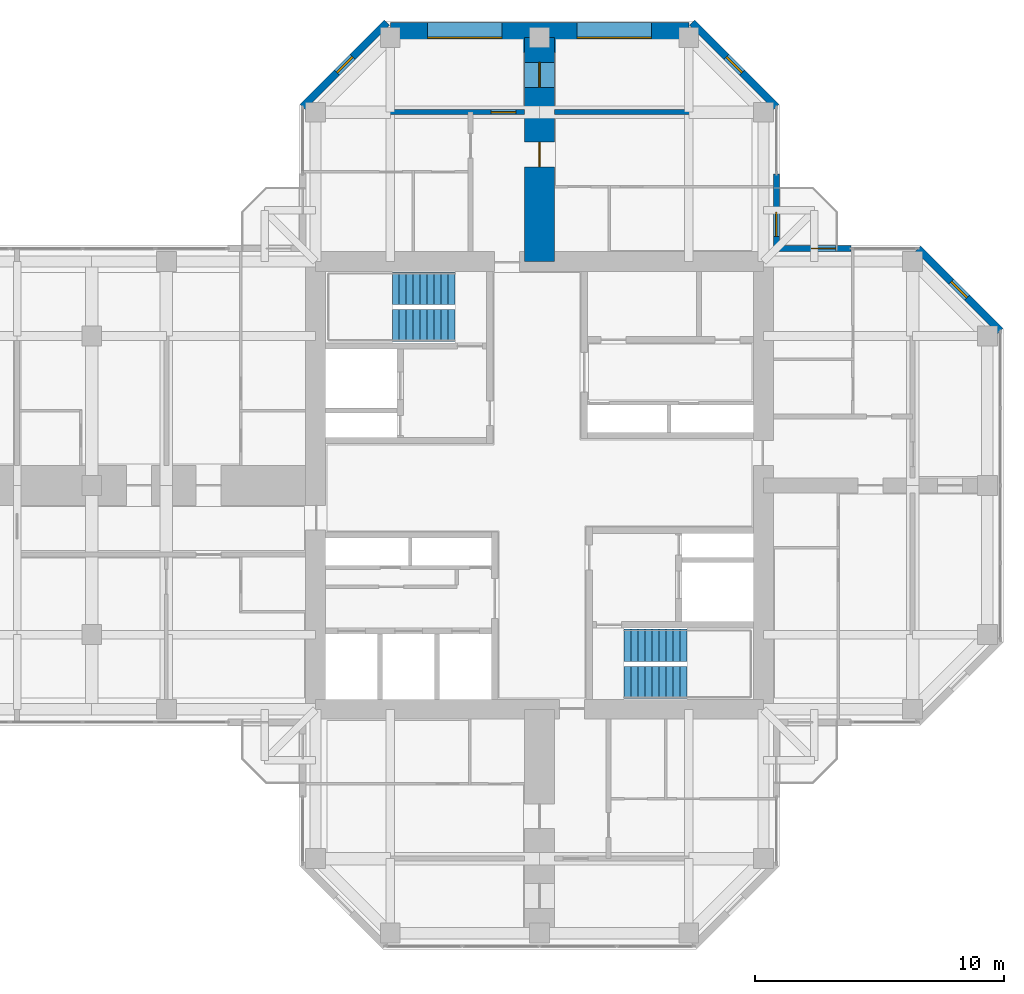
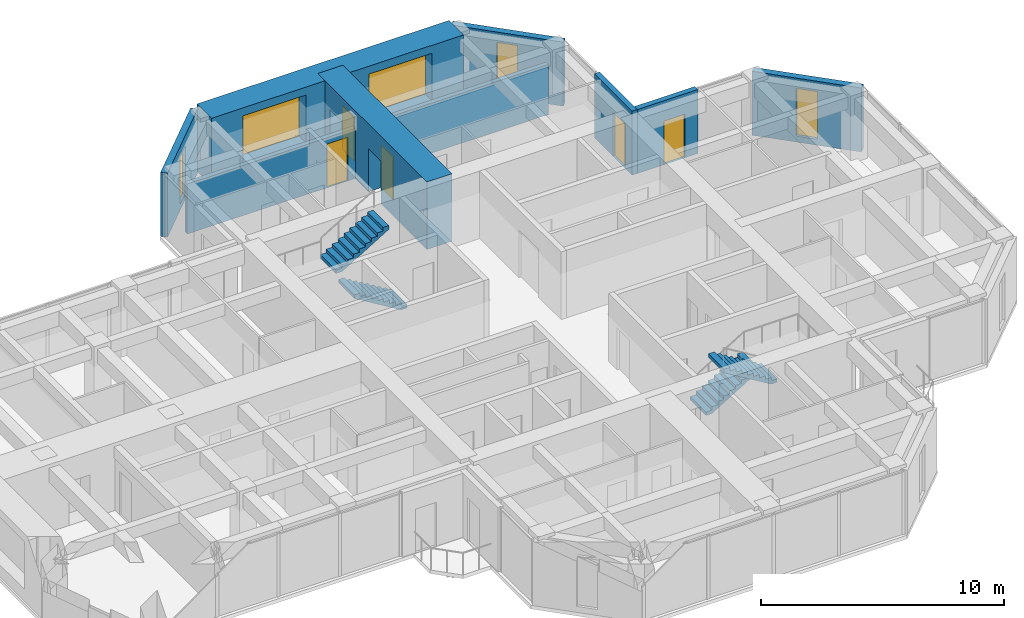
# One storey, part 12 of 13: 9 walls, 5 doors, 5 windows, 4 stair flights, 10 openings, 2 elements without a shape of their own.
"""IFC4 building model written with IfcOpenShell, lengths in metres."""

from ifc_helpers import new_model, si_unit, direction, frame, frame_2d, origin, place, context, subcontext, project, spatial, polyline, rectangle, hollow_rectangle, outline, extrude, material, layer, layer_set, constituent, constituent_set, type_object, element, fill, aggregate, save


model = new_model("IFC4")

# Units and contexts
model_context = context("Model", 3, precision=1e-05, world=origin(), true_north=direction((0.0, 1.0)))
body_context = subcontext(model_context, "Body", "Model", "MODEL_VIEW")
ifc_project = project(units=[si_unit("LENGTHUNIT", "METRE"), si_unit("AREAUNIT", "SQUARE_METRE"), si_unit("VOLUMEUNIT", "CUBIC_METRE"), si_unit("PLANEANGLEUNIT", "RADIAN"), si_unit("MASSUNIT", "GRAM", prefix="KILO")], contexts=[model_context])

# Site, building, storey
site_placement = place(None, origin())
site = spatial("IfcSite", under=ifc_project, at=site_placement, CompositionType="ELEMENT")
building_placement = place(site_placement, origin())
building = spatial("IfcBuilding", under=site, at=building_placement, Name="Torre Cruceta", CompositionType="ELEMENT")
storey_placement = place(building_placement, frame((0.0, 0.0, 239.10009765625)))
storey = spatial("IfcBuildingStorey", under=building, at=storey_placement, Name="L61", CompositionType="ELEMENT", Elevation=239.10009765625)

# Wall, opening, window
ifc_material_1 = material(Name="Concrete G30 (fck 30 MPa)", Category="concrete")
ifc_layer_1 = layer(ifc_material_1, 0.300048828125)
ifc_layer_set_1 = layer_set([ifc_layer_1], Name="Concrete G30 (fck 30 MPa)")
wall_type_1 = type_object("IfcWallType", Name="EXPOSED CONCRETE FACADE WALL 300", PredefinedType="SOLIDWALL", material=ifc_layer_set_1)
wall_1_placement = place(storey_placement, frame((18.52001953125, 6.21533203125, 0.0), z_axis=(0.0, 0.0, 1.0), x_axis=(-0.707106781187, 0.707106781187, 0.0)))
wall_1 = element("IfcWall", 1, at=wall_1_placement, inside=storey, type_object=wall_type_1, Name="EW1 facade wall L61 E chamfer 03", PredefinedType="SOLIDWALL", context=body_context, shape_type="SweptSolid", body=[
    extrude(rectangle(XDim=4.673583984375, YDim=0.300048828125, at=frame_2d((2.3369140625, 0.0))), origin(), (0.0, 0.0, 1.0), 3.219970703125),
])
opening_1_placement = place(wall_1_placement, frame((1.88671875, 0.0, 0.300048828125)))
opening_1 = element("IfcOpeningElement", 2, at=opening_1_placement, cuts=wall_1, Name="Opening WN5", PredefinedType="OPENING", context=body_context, shape_type="SweptSolid", body=[
    extrude(rectangle(XDim=0.89990234375, YDim=2.39990234375, at=frame_2d((0.449951171875, 1.199951171875))), frame((0.0, 0.159912109375, 0.0), z_axis=(0.0, -1.0, 0.0), x_axis=(1.0, 0.0, 0.0)), (0.0, 0.0, 1.0), 0.320068359375),
])
ifc_material_2 = material(Name="Aluminium window frame", Category="aluminium")
ifc_constituent_1 = constituent(ifc_material_2, Name="Frame")
ifc_material_3 = material(Name="Laminated insulating glass unit, low-iron clear", Category="glass")
ifc_constituent_2 = constituent(ifc_material_3, Name="Glazing")
ifc_constituent_set_1 = constituent_set(constituents=[ifc_constituent_1, ifc_constituent_2], Name="Aluminium window")
window_type_1 = type_object("IfcWindowType", Name="CHAMFER SLOT WINDOW 900X2400", PartitioningType="SINGLE_PANEL", PredefinedType="WINDOW", material=ifc_constituent_set_1)
window_1_placement = place(opening_1_placement, origin())
window_1 = element("IfcWindow", 3, at=window_1_placement, inside=storey, type_object=window_type_1, Name="WN5 L61 E 1", OverallHeight=2.39990234375, OverallWidth=0.89990234375, PartitioningType="SINGLE_PANEL", PredefinedType="WINDOW", context=body_context, shape_type="SweptSolid", body=[
    extrude(hollow_rectangle(XDim=0.89990234375, YDim=2.39990234375, WallThickness=0.06005859375, at=frame_2d((0.449951171875, 1.199951171875))), frame((0.0, 0.030029296875, 0.0), z_axis=(0.0, -1.0, 0.0), x_axis=(1.0, 0.0, 0.0)), (0.0, 0.0, 1.0), 0.06005859375),
    extrude(rectangle(XDim=0.77880859375, YDim=2.27880859375, at=frame_2d((0.449951171875, 1.199951171875))), frame((0.0, 0.030029296875, 0.0), z_axis=(0.0, -1.0, 0.0), x_axis=(1.0, 0.0, 0.0)), (0.0, 0.0, 1.0), 0.06005859375),
])
fill(opening_1, window_1)

wall_2_placement = place(storey_placement, frame((9.52001953125, 15.21533203125, 0.0), z_axis=(0.0, 0.0, 1.0), x_axis=(-0.707081278264, 0.707132283189, 0.0)))
wall_2 = element("IfcWall", 4, at=wall_2_placement, inside=storey, type_object=wall_type_1, Name="EW1 facade wall L61 N chamfer 06", PredefinedType="SOLIDWALL", context=body_context, shape_type="SweptSolid", body=[
    extrude(rectangle(XDim=4.78662109375, YDim=0.300048828125, at=frame_2d((2.393310546875, 0.0))), origin(), (0.0, 0.0, 1.0), 3.219970703125),
])
opening_2_placement = place(wall_2_placement, frame((1.943359375, 0.0, 0.300048828125)))
opening_2 = element("IfcOpeningElement", 5, at=opening_2_placement, cuts=wall_2, Name="Opening WN5", PredefinedType="OPENING", context=body_context, shape_type="SweptSolid", body=[
    extrude(rectangle(XDim=0.89990234375, YDim=2.39990234375, at=frame_2d((0.449951171875, 1.199951171875))), frame((0.0, 0.159912109375, 0.0), z_axis=(0.0, -1.0, 0.0), x_axis=(1.0, 0.0, 0.0)), (0.0, 0.0, 1.0), 0.320068359375),
])
window_2_placement = place(opening_2_placement, origin())
window_2 = element("IfcWindow", 6, at=window_2_placement, inside=storey, type_object=window_type_1, Name="WN5 L61 N 1", OverallHeight=2.39990234375, OverallWidth=0.89990234375, PartitioningType="SINGLE_PANEL", PredefinedType="WINDOW", context=body_context, shape_type="SweptSolid", body=[
    extrude(hollow_rectangle(XDim=0.89990234375, YDim=2.39990234375, WallThickness=0.06005859375, at=frame_2d((0.449951171875, 1.199951171875))), frame((0.0, 0.030029296875, 0.0), z_axis=(0.0, -1.0, 0.0), x_axis=(1.0, 0.0, 0.0)), (0.0, 0.0, 1.0), 0.06005859375),
    extrude(rectangle(XDim=0.77880859375, YDim=2.27880859375, at=frame_2d((0.449951171875, 1.199951171875))), frame((0.0, 0.030029296875, 0.0), z_axis=(0.0, -1.0, 0.0), x_axis=(1.0, 0.0, 0.0)), (0.0, 0.0, 1.0), 0.06005859375),
])
fill(opening_2, window_2)

wall_3_placement = place(storey_placement, frame((-6.135498046875, 18.60009765625, 0.0), z_axis=(0.0, 0.0, 1.0), x_axis=(-0.707081278264, -0.707132283189, 0.0)))
wall_3 = element("IfcWall", 7, at=wall_3_placement, inside=storey, type_object=wall_type_1, Name="EW1 facade wall L61 N chamfer 08", PredefinedType="SOLIDWALL", context=body_context, shape_type="SweptSolid", body=[
    extrude(rectangle(XDim=4.78662109375, YDim=0.300048828125, at=frame_2d((2.393310546875, 0.0))), origin(), (0.0, 0.0, 1.0), 3.219970703125),
])
opening_3_placement = place(wall_3_placement, frame((1.943359375, 0.0, 0.300048828125)))
opening_3 = element("IfcOpeningElement", 8, at=opening_3_placement, cuts=wall_3, Name="Opening WN5", PredefinedType="OPENING", context=body_context, shape_type="SweptSolid", body=[
    extrude(rectangle(XDim=0.89990234375, YDim=2.39990234375, at=frame_2d((0.449951171875, 1.199951171875))), frame((0.0, 0.159912109375, 0.0), z_axis=(0.0, -1.0, 0.0), x_axis=(1.0, 0.0, 0.0)), (0.0, 0.0, 1.0), 0.320068359375),
])
window_3_placement = place(opening_3_placement, origin())
window_3 = element("IfcWindow", 9, at=window_3_placement, inside=storey, type_object=window_type_1, Name="WN5 L61 N 1", OverallHeight=2.39990234375, OverallWidth=0.89990234375, PartitioningType="SINGLE_PANEL", PredefinedType="WINDOW", context=body_context, shape_type="SweptSolid", body=[
    extrude(hollow_rectangle(XDim=0.89990234375, YDim=2.39990234375, WallThickness=0.06005859375, at=frame_2d((0.449951171875, 1.199951171875))), frame((0.0, 0.030029296875, 0.0), z_axis=(0.0, -1.0, 0.0), x_axis=(1.0, 0.0, 0.0)), (0.0, 0.0, 1.0), 0.06005859375),
    extrude(rectangle(XDim=0.77880859375, YDim=2.27880859375, at=frame_2d((0.449951171875, 1.199951171875))), frame((0.0, 0.030029296875, 0.0), z_axis=(0.0, -1.0, 0.0), x_axis=(1.0, 0.0, 0.0)), (0.0, 0.0, 1.0), 0.06005859375),
])
fill(opening_3, window_3)

# Wall, openings, windows
ifc_material_4 = material(Name="Concrete G60 (fck 60 MPa)", Category="concrete")
ifc_layer_2 = layer(ifc_material_4, 1.199951171875)
ifc_layer_set_2 = layer_set([ifc_layer_2], Name="Concrete G60 (fck 60 MPa)")
wall_type_2 = type_object("IfcWallType", Name="NOSE WALL 1200 G60", PredefinedType="SHEAR", material=ifc_layer_set_2)
wall_4_placement = place(storey_placement, frame((6.0, 18.0, 0.0), z_axis=(0.0, 0.0, 1.0), x_axis=(-1.0, 0.0, 0.0)))
wall_4 = element("IfcWall", 10, at=wall_4_placement, inside=storey, type_object=wall_type_2, Name="NW1 nose wall L61 N", PredefinedType="SHEAR", context=body_context, shape_type="SweptSolid", body=[
    extrude(rectangle(XDim=12.0, YDim=1.199951171875, at=frame_2d((6.0, 0.0))), origin(), (0.0, 0.0, 1.0), 3.39990234375),
])
opening_4_placement = place(wall_4_placement, frame((1.5, 0.0, 0.60009765625)))
opening_4 = element("IfcOpeningElement", 11, at=opening_4_placement, cuts=wall_4, Name="Opening WN6", PredefinedType="OPENING", context=body_context, shape_type="SweptSolid", body=[
    extrude(rectangle(XDim=3.0, YDim=2.39990234375, at=frame_2d((1.5, 1.199951171875))), frame((0.0, 0.60986328125, 0.0), z_axis=(0.0, -1.0, 0.0), x_axis=(1.0, 0.0, 0.0)), (0.0, 0.0, 1.0), 1.219970703125),
])
opening_5_placement = place(wall_4_placement, frame((7.5, 0.0, 0.60009765625)))
opening_5 = element("IfcOpeningElement", 12, at=opening_5_placement, cuts=wall_4, Name="Opening WN6", PredefinedType="OPENING", context=body_context, shape_type="SweptSolid", body=[
    extrude(rectangle(XDim=3.0, YDim=2.39990234375, at=frame_2d((1.5, 1.199951171875))), frame((0.0, 0.60986328125, 0.0), z_axis=(0.0, -1.0, 0.0), x_axis=(1.0, 0.0, 0.0)), (0.0, 0.0, 1.0), 1.219970703125),
])
ifc_material_5 = material(Name="Aluminium window frame", Category="aluminium")
ifc_constituent_3 = constituent(ifc_material_5, Name="Frame")
ifc_material_6 = material(Name="Laminated insulating glass unit, low-iron clear", Category="glass")
ifc_constituent_4 = constituent(ifc_material_6, Name="Glazing")
ifc_constituent_set_2 = constituent_set(constituents=[ifc_constituent_3, ifc_constituent_4], Name="Aluminium window")
window_type_2 = type_object("IfcWindowType", Name="NOSE WALL WINDOW 3000X2400", PartitioningType="SINGLE_PANEL", PredefinedType="WINDOW", material=ifc_constituent_set_2)
window_4_placement = place(opening_4_placement, origin())
window_4 = element("IfcWindow", 13, at=window_4_placement, inside=storey, type_object=window_type_2, Name="WN6 L61 N 1", OverallHeight=2.39990234375, OverallWidth=3.0, PartitioningType="SINGLE_PANEL", PredefinedType="WINDOW", context=body_context, shape_type="SweptSolid", body=[
    extrude(hollow_rectangle(XDim=3.0, YDim=2.39990234375, WallThickness=0.06005859375, at=frame_2d((1.5, 1.199951171875))), frame((0.0, 0.030029296875, 0.0), z_axis=(0.0, -1.0, 0.0), x_axis=(1.0, 0.0, 0.0)), (0.0, 0.0, 1.0), 0.06005859375),
    extrude(rectangle(XDim=2.87890625, YDim=2.27880859375, at=frame_2d((1.5, 1.199951171875))), frame((0.0, 0.030029296875, 0.0), z_axis=(0.0, -1.0, 0.0), x_axis=(1.0, 0.0, 0.0)), (0.0, 0.0, 1.0), 0.06005859375),
])
fill(opening_4, window_4)
window_5_placement = place(opening_5_placement, origin())
window_5 = element("IfcWindow", 14, at=window_5_placement, inside=storey, type_object=window_type_2, Name="WN6 L61 N 2", OverallHeight=2.39990234375, OverallWidth=3.0, PartitioningType="SINGLE_PANEL", PredefinedType="WINDOW", context=body_context, shape_type="SweptSolid", body=[
    extrude(hollow_rectangle(XDim=3.0, YDim=2.39990234375, WallThickness=0.06005859375, at=frame_2d((1.5, 1.199951171875))), frame((0.0, 0.030029296875, 0.0), z_axis=(0.0, -1.0, 0.0), x_axis=(1.0, 0.0, 0.0)), (0.0, 0.0, 1.0), 0.06005859375),
    extrude(rectangle(XDim=2.87890625, YDim=2.27880859375, at=frame_2d((1.5, 1.199951171875))), frame((0.0, 0.030029296875, 0.0), z_axis=(0.0, -1.0, 0.0), x_axis=(1.0, 0.0, 0.0)), (0.0, 0.0, 1.0), 0.06005859375),
])
fill(opening_5, window_5)

# Wall, openings, doors
ifc_material_7 = material(Name="Concrete G60 (fck 60 MPa)", Category="concrete")
ifc_layer_3 = layer(ifc_material_7, 1.199951171875)
ifc_layer_set_3 = layer_set([ifc_layer_3], Name="Concrete G60 (fck 60 MPa)")
wall_type_3 = type_object("IfcWallType", Name="SPINE WALL 1200 G60", PredefinedType="SHEAR", material=ifc_layer_set_3)
wall_5_placement = place(storey_placement, frame((0.0, 9.0, 0.0), z_axis=(0.0, 0.0, 1.0), x_axis=(0.0, 1.0, 0.0)))
wall_5 = element("IfcWall", 15, at=wall_5_placement, inside=storey, type_object=wall_type_3, Name="SW3 spine wall L61 N", PredefinedType="SHEAR", context=body_context, shape_type="SweptSolid", body=[
    extrude(rectangle(XDim=9.0, YDim=1.199951171875, at=frame_2d((4.5, 0.0))), origin(), (0.0, 0.0, 1.0), 3.39990234375),
])
opening_6_placement = place(wall_5_placement, frame((3.800048828125, 0.0, 0.0)))
opening_6 = element("IfcOpeningElement", 16, at=opening_6_placement, cuts=wall_5, Name="Opening D6", PredefinedType="OPENING", context=body_context, shape_type="SweptSolid", body=[
    extrude(rectangle(XDim=1.0, YDim=2.14990234375, at=frame_2d((0.5, 1.074951171875))), frame((0.0, 0.60986328125, 0.0), z_axis=(0.0, -1.0, 0.0), x_axis=(1.0, 0.0, 0.0)), (0.0, 0.0, 1.0), 1.219970703125),
])
opening_7_placement = place(wall_5_placement, frame((7.0, 0.0, 0.0)))
opening_7 = element("IfcOpeningElement", 17, at=opening_7_placement, cuts=wall_5, Name="Opening D14", PredefinedType="OPENING", context=body_context, shape_type="SweptSolid", body=[
    extrude(rectangle(XDim=1.0, YDim=2.199951171875, at=frame_2d((0.5, 1.10009765625))), frame((0.0, 0.60986328125, 0.0), z_axis=(0.0, -1.0, 0.0), x_axis=(1.0, 0.0, 0.0)), (0.0, 0.0, 1.0), 1.219970703125),
])
ifc_material_8 = material(Name="Steel DX51D", Category="steel")
ifc_constituent_5 = constituent(ifc_material_8, Name="Leaf and frame")
ifc_material_9 = material(Name="Polyester powder coating", Category="paint")
ifc_constituent_6 = constituent(ifc_material_9, Name="Finish")
ifc_material_10 = material(Name="Fire-resisting glass", Category="glass")
ifc_constituent_7 = constituent(ifc_material_10, Name="Vision panel")
ifc_constituent_set_3 = constituent_set(constituents=[ifc_constituent_5, ifc_constituent_6, ifc_constituent_7], Name="Steel fire door with vision panel")
door_type_1 = type_object("IfcDoorType", Name="FIRE DOOR VISION PANEL 1000X2200", OperationType="SINGLE_SWING_RIGHT", PredefinedType="DOOR", material=ifc_constituent_set_3)
door_1_placement = place(opening_7_placement, origin())
door_1 = element("IfcDoor", 18, at=door_1_placement, inside=storey, type_object=door_type_1, Name="D14 L61-N-SP2", OperationType="SINGLE_SWING_RIGHT", OverallHeight=2.199951171875, OverallWidth=1.0, PredefinedType="DOOR", context=body_context, shape_type="SweptSolid", body=[
    extrude(rectangle(XDim=1.0, YDim=2.199951171875, at=frame_2d((0.5, 1.10009765625))), frame((0.0, 0.02490234375, 0.0), z_axis=(0.0, -1.0, 0.0), x_axis=(1.0, 0.0, 0.0)), (0.0, 0.0, 1.0), 0.050048828125),
])
fill(opening_7, door_1)
ifc_material_11 = material(Name="Timber fire door", Category="wood")
door_type_2 = type_object("IfcDoorType", Name="UNIT ENTRANCE DOOR 1000X2150", OperationType="SINGLE_SWING_LEFT", PredefinedType="DOOR", material=ifc_material_11)
door_2_placement = place(opening_6_placement, frame((1.0, 0.0, 0.0), z_axis=(0.0, 0.0, 1.0), x_axis=(-1.0, 0.0, 0.0)))
door_2 = element("IfcDoor", 19, at=door_2_placement, inside=storey, type_object=door_type_2, Name="D6 L61-N-SP1", OperationType="SINGLE_SWING_RIGHT", OverallHeight=2.14990234375, OverallWidth=1.0, PredefinedType="DOOR", context=body_context, shape_type="SweptSolid", body=[
    extrude(rectangle(XDim=1.0, YDim=2.14990234375, at=frame_2d((0.5, 1.074951171875))), frame((0.0, 0.025146484375, 0.0), z_axis=(0.0, -1.0, 0.0), x_axis=(1.0, 0.0, 0.0)), (0.0, 0.0, 1.0), 0.050048828125),
])
fill(opening_6, door_2)

# Wall
ifc_material_12 = material(Name="Concrete G25 (fck 25 MPa)", Category="concrete")
ifc_layer_4 = layer(ifc_material_12, 0.199951171875)
ifc_layer_set_4 = layer_set([ifc_layer_4], Name="Concrete G25 (fck 25 MPa)")
wall_type_4 = type_object("IfcWallType", Name="UNIT SEPARATING WALL 200", PredefinedType="SOLIDWALL", material=ifc_layer_set_4)
wall_6_placement = place(storey_placement, frame((8.60009765625, 15.0, 0.0), z_axis=(0.0, 0.0, 1.0), x_axis=(-1.0, 0.0, 0.0)))
element("IfcWall", 20, at=wall_6_placement, inside=storey, type_object=wall_type_4, Name="PT2 L61-N-ENDa", PredefinedType="SOLIDWALL", context=body_context, shape_type="SweptSolid", body=[
    extrude(rectangle(XDim=8.0, YDim=0.199951171875, at=frame_2d((4.0, 0.0))), origin(), (0.0, 0.0, 1.0), 2.52001953125),
])

# Wall, opening, door
wall_7_placement = place(storey_placement, frame((-0.60009765625, 15.0, 0.0), z_axis=(0.0, 0.0, 1.0), x_axis=(-1.0, 0.0, 0.0)))
wall_7 = element("IfcWall", 21, at=wall_7_placement, inside=storey, type_object=wall_type_4, Name="PT2 L61-N-ENDb", PredefinedType="SOLIDWALL", context=body_context, shape_type="SweptSolid", body=[
    extrude(rectangle(XDim=8.0, YDim=0.199951171875, at=frame_2d((4.0, 0.0))), origin(), (0.0, 0.0, 1.0), 2.52001953125),
])
opening_8_placement = place(wall_7_placement, frame((0.35009765625, 0.0, 0.0)))
opening_8 = element("IfcOpeningElement", 22, at=opening_8_placement, cuts=wall_7, Name="Opening D14", PredefinedType="OPENING", context=body_context, shape_type="SweptSolid", body=[
    extrude(rectangle(XDim=1.0, YDim=2.199951171875, at=frame_2d((0.5, 1.10009765625))), frame((0.0, 0.10986328125, 0.0), z_axis=(0.0, -1.0, 0.0), x_axis=(1.0, 0.0, 0.0)), (0.0, 0.0, 1.0), 0.219970703125),
])
door_3_placement = place(opening_8_placement, frame((1.0, 0.0, 0.0), z_axis=(0.0, 0.0, 1.0), x_axis=(-1.0, 0.0, 0.0)))
door_3 = element("IfcDoor", 23, at=door_3_placement, inside=storey, type_object=door_type_1, Name="D14 L61-N-ENDb-D1", OperationType="SINGLE_SWING_RIGHT", OverallHeight=2.199951171875, OverallWidth=1.0, PredefinedType="DOOR", context=body_context, shape_type="SweptSolid", body=[
    extrude(rectangle(XDim=1.0, YDim=2.199951171875, at=frame_2d((0.5, 1.10009765625))), frame((0.0, 0.025146484375, 0.0), z_axis=(0.0, -1.0, 0.0), x_axis=(1.0, 0.0, 0.0)), (0.0, 0.0, 1.0), 0.050048828125),
])
fill(opening_8, door_3)

ifc_material_13 = material(Name="Concrete G30 (fck 30 MPa)", Category="concrete")
ifc_layer_5 = layer(ifc_material_13, 0.25)
ifc_layer_set_5 = layer_set([ifc_layer_5], Name="Concrete G30 (fck 30 MPa)")
wall_type_5 = type_object("IfcWallType", Name="WINTER GARDEN WALL 250", PredefinedType="SOLIDWALL", material=ifc_layer_set_5)
wall_8_placement = place(storey_placement, frame((12.52001953125, 9.52001953125, 0.0), z_axis=(0.0, 0.0, 1.0), x_axis=(-1.0, 0.0, 0.0)))
wall_8 = element("IfcWall", 24, at=wall_8_placement, inside=storey, type_object=wall_type_5, Name="EW2 winter garden wall L61 04", PredefinedType="SOLIDWALL", context=body_context, shape_type="SweptSolid", body=[
    extrude(rectangle(XDim=2.875, YDim=0.25, at=frame_2d((1.4375, 0.0))), origin(), (0.0, 0.0, 1.0), 3.219970703125),
])
opening_9_placement = place(wall_8_placement, frame((0.60009765625, 0.0, 0.0)))
opening_9 = element("IfcOpeningElement", 25, at=opening_9_placement, cuts=wall_8, Name="Opening D10", PredefinedType="OPENING", context=body_context, shape_type="SweptSolid", body=[
    extrude(rectangle(XDim=1.0, YDim=2.199951171875, at=frame_2d((0.5, 1.10009765625))), frame((0.0, 0.135009765625, 0.0), z_axis=(0.0, -1.0, 0.0), x_axis=(1.0, 0.0, 0.0)), (0.0, 0.0, 1.0), 0.27001953125),
])
ifc_material_14 = material(Name="Aluminium door frame", Category="aluminium")
ifc_constituent_8 = constituent(ifc_material_14, Name="Frame")
ifc_material_15 = material(Name="Laminated safety glass", Category="glass")
ifc_constituent_9 = constituent(ifc_material_15, Name="Glazing")
ifc_constituent_set_4 = constituent_set(constituents=[ifc_constituent_8, ifc_constituent_9], Name="Aluminium glazed door")
door_type_3 = type_object("IfcDoorType", Name="BALCONY DOOR 1000X2200", OperationType="SINGLE_SWING_RIGHT", PredefinedType="DOOR", material=ifc_constituent_set_4)
door_4_placement = place(opening_9_placement, origin())
door_4 = element("IfcDoor", 26, at=door_4_placement, inside=storey, type_object=door_type_3, Name="D10 balcony door L61 04", OperationType="SINGLE_SWING_LEFT", OverallHeight=2.199951171875, OverallWidth=1.0, PredefinedType="DOOR", context=body_context, shape_type="SweptSolid", body=[
    extrude(hollow_rectangle(XDim=1.0, YDim=2.199951171875, WallThickness=0.06005859375, at=frame_2d((0.5, 1.10009765625))), frame((0.0, 0.02490234375, 0.0), z_axis=(0.0, -1.0, 0.0), x_axis=(1.0, 0.0, 0.0)), (0.0, 0.0, 1.0), 0.050048828125),
    extrude(rectangle(XDim=0.87890625, YDim=2.078857421875, at=frame_2d((0.5, 1.10009765625))), frame((0.0, 0.02490234375, 0.0), z_axis=(0.0, -1.0, 0.0), x_axis=(1.0, 0.0, 0.0)), (0.0, 0.0, 1.0), 0.050048828125),
])
fill(opening_9, door_4)

wall_9_placement = place(storey_placement, frame((9.52001953125, 9.39501953125, 0.0), z_axis=(0.0, 0.0, 1.0), x_axis=(0.0, 1.0, 0.0)))
wall_9 = element("IfcWall", 27, at=wall_9_placement, inside=storey, type_object=wall_type_5, Name="EW2 winter garden wall L61 05", PredefinedType="SOLIDWALL", context=body_context, shape_type="SweptSolid", body=[
    extrude(rectangle(XDim=3.125, YDim=0.25, at=frame_2d((1.5625, 0.0))), origin(), (0.0, 0.0, 1.0), 3.219970703125),
])
opening_10_placement = place(wall_9_placement, frame((0.60009765625, 0.0, 0.0)))
opening_10 = element("IfcOpeningElement", 28, at=opening_10_placement, cuts=wall_9, Name="Opening D10", PredefinedType="OPENING", context=body_context, shape_type="SweptSolid", body=[
    extrude(rectangle(XDim=1.0, YDim=2.199951171875, at=frame_2d((0.5, 1.10009765625))), frame((0.0, 0.135009765625, 0.0), z_axis=(0.0, -1.0, 0.0), x_axis=(1.0, 0.0, 0.0)), (0.0, 0.0, 1.0), 0.27001953125),
])
door_5_placement = place(opening_10_placement, origin())
door_5 = element("IfcDoor", 29, at=door_5_placement, inside=storey, type_object=door_type_3, Name="D10 balcony door L61 05", OperationType="SINGLE_SWING_RIGHT", OverallHeight=2.199951171875, OverallWidth=1.0, PredefinedType="DOOR", context=body_context, shape_type="SweptSolid", body=[
    extrude(hollow_rectangle(XDim=1.0, YDim=2.199951171875, WallThickness=0.06005859375, at=frame_2d((0.5, 1.10009765625))), frame((0.0, 0.02490234375, 0.0), z_axis=(0.0, -1.0, 0.0), x_axis=(1.0, 0.0, 0.0)), (0.0, 0.0, 1.0), 0.050048828125),
    extrude(rectangle(XDim=0.87890625, YDim=2.078857421875, at=frame_2d((0.5, 1.10009765625))), frame((0.0, 0.02490234375, 0.0), z_axis=(0.0, -1.0, 0.0), x_axis=(1.0, 0.0, 0.0)), (0.0, 0.0, 1.0), 0.050048828125),
])
fill(opening_10, door_5)

# Stair, stair flights
ifc_material_16 = material(Name="Concrete G30 (fck 30 MPa)", Category="concrete")
stair_type = type_object("IfcStairType", Name="STAIR HALF-TURN 1300", PredefinedType="HALF_TURN_STAIR", material=ifc_material_16)
stair_1_placement = place(storey_placement, origin())
stair_1 = element("IfcStair", 30, at=stair_1_placement, inside=storey, type_object=stair_type, Name="Stair ST1 L61", PredefinedType="HALF_TURN_STAIR")
ifc_material_17 = material(Name="Concrete G30 (fck 30 MPa)", Category="concrete")
stair_flight_type = type_object("IfcStairFlightType", Name="STAIR FLIGHT 1300", PredefinedType="STRAIGHT", material=ifc_material_17)
stair_flight_1_placement = place(storey_placement, frame((-3.39990234375, 6.425048828125, 0.0), z_axis=(0.0, 0.0, 1.0), x_axis=(-1.0, 0.0, 0.0)))
stair_flight_1 = element("IfcStairFlight", 31, at=stair_flight_1_placement, type_object=stair_flight_type, Name="ST1 flight 1", NumberOfRisers=10, NumberOfTreads=9, PredefinedType="STRAIGHT", RiserHeight=0.17, TreadLength=0.28, context=body_context, shape_type="SweptSolid", body=[
    extrude(outline(polyline([(0.0, 0.0), (0.0, 0.169921875), (0.280029296875, 0.169921875), (0.280029296875, 0.340087890625), (0.56005859375, 0.340087890625), (0.56005859375, 0.510009765625), (0.840087890625, 0.510009765625), (0.840087890625, 0.679931640625), (1.1201171875, 0.679931640625), (1.1201171875, 0.85009765625), (1.39990234375, 0.85009765625), (1.39990234375, 1.02001953125), (1.679931640625, 1.02001953125), (1.679931640625, 1.18994140625), (1.9599609375, 1.18994140625), (1.9599609375, 1.360107421875), (2.239990234375, 1.360107421875), (2.239990234375, 1.530029296875), (2.52001953125, 1.530029296875), (2.52001953125, 1.699951171875), (2.52001953125, 1.354736328125), (0.288818359375, 0.0), (0.0, 0.0)])), frame((0.0, 0.64990234375, 0.0), z_axis=(0.0, -1.0, 0.0), x_axis=(1.0, 0.0, 0.0)), (0.0, 0.0, 1.0), 1.300048828125),
])
stair_flight_2_placement = place(storey_placement, frame((-5.919921875, 7.925048828125, 1.699951171875), z_axis=(0.0, 0.0, 1.0), x_axis=(1.0, 0.0, 0.0)))
stair_flight_2 = element("IfcStairFlight", 32, at=stair_flight_2_placement, type_object=stair_flight_type, Name="ST1 flight 2", NumberOfRisers=10, NumberOfTreads=9, PredefinedType="STRAIGHT", RiserHeight=0.17, TreadLength=0.28, context=body_context, shape_type="SweptSolid", body=[
    extrude(outline(polyline([(0.0, 0.0), (0.0, 0.169921875), (0.280029296875, 0.169921875), (0.280029296875, 0.340087890625), (0.56005859375, 0.340087890625), (0.56005859375, 0.510009765625), (0.840087890625, 0.510009765625), (0.840087890625, 0.679931640625), (1.1201171875, 0.679931640625), (1.1201171875, 0.85009765625), (1.39990234375, 0.85009765625), (1.39990234375, 1.02001953125), (1.679931640625, 1.02001953125), (1.679931640625, 1.18994140625), (1.9599609375, 1.18994140625), (1.9599609375, 1.360107421875), (2.239990234375, 1.360107421875), (2.239990234375, 1.530029296875), (2.52001953125, 1.530029296875), (2.52001953125, 1.699951171875), (2.52001953125, 1.354736328125), (0.288818359375, 0.0), (0.0, 0.0)])), frame((0.0, 0.64990234375, 0.0), z_axis=(0.0, -1.0, 0.0), x_axis=(1.0, 0.0, 0.0)), (0.0, 0.0, 1.0), 1.300048828125),
])
aggregate(stair_1, [stair_flight_1, stair_flight_2])

stair_2_placement = place(storey_placement, origin())
stair_2 = element("IfcStair", 33, at=stair_2_placement, inside=storey, type_object=stair_type, Name="Stair ST2 L61", PredefinedType="HALF_TURN_STAIR")
stair_flight_3_placement = place(storey_placement, frame((3.39990234375, -6.425048828125, 0.0), z_axis=(0.0, 0.0, 1.0), x_axis=(1.0, 0.0, 0.0)))
stair_flight_3 = element("IfcStairFlight", 34, at=stair_flight_3_placement, type_object=stair_flight_type, Name="ST2 flight 1", NumberOfRisers=10, NumberOfTreads=9, PredefinedType="STRAIGHT", RiserHeight=0.17, TreadLength=0.28, context=body_context, shape_type="SweptSolid", body=[
    extrude(outline(polyline([(0.0, 0.0), (0.0, 0.169921875), (0.280029296875, 0.169921875), (0.280029296875, 0.340087890625), (0.56005859375, 0.340087890625), (0.56005859375, 0.510009765625), (0.840087890625, 0.510009765625), (0.840087890625, 0.679931640625), (1.1201171875, 0.679931640625), (1.1201171875, 0.85009765625), (1.39990234375, 0.85009765625), (1.39990234375, 1.02001953125), (1.679931640625, 1.02001953125), (1.679931640625, 1.18994140625), (1.9599609375, 1.18994140625), (1.9599609375, 1.360107421875), (2.239990234375, 1.360107421875), (2.239990234375, 1.530029296875), (2.52001953125, 1.530029296875), (2.52001953125, 1.699951171875), (2.52001953125, 1.354736328125), (0.288818359375, 0.0), (0.0, 0.0)])), frame((0.0, 0.64990234375, 0.0), z_axis=(0.0, -1.0, 0.0), x_axis=(1.0, 0.0, 0.0)), (0.0, 0.0, 1.0), 1.300048828125),
])
stair_flight_4_placement = place(storey_placement, frame((5.919921875, -7.925048828125, 1.699951171875), z_axis=(0.0, 0.0, 1.0), x_axis=(-1.0, 0.0, 0.0)))
stair_flight_4 = element("IfcStairFlight", 35, at=stair_flight_4_placement, type_object=stair_flight_type, Name="ST2 flight 2", NumberOfRisers=10, NumberOfTreads=9, PredefinedType="STRAIGHT", RiserHeight=0.17, TreadLength=0.28, context=body_context, shape_type="SweptSolid", body=[
    extrude(outline(polyline([(0.0, 0.0), (0.0, 0.169921875), (0.280029296875, 0.169921875), (0.280029296875, 0.340087890625), (0.56005859375, 0.340087890625), (0.56005859375, 0.510009765625), (0.840087890625, 0.510009765625), (0.840087890625, 0.679931640625), (1.1201171875, 0.679931640625), (1.1201171875, 0.85009765625), (1.39990234375, 0.85009765625), (1.39990234375, 1.02001953125), (1.679931640625, 1.02001953125), (1.679931640625, 1.18994140625), (1.9599609375, 1.18994140625), (1.9599609375, 1.360107421875), (2.239990234375, 1.360107421875), (2.239990234375, 1.530029296875), (2.52001953125, 1.530029296875), (2.52001953125, 1.699951171875), (2.52001953125, 1.354736328125), (0.288818359375, 0.0), (0.0, 0.0)])), frame((0.0, 0.64990234375, 0.0), z_axis=(0.0, -1.0, 0.0), x_axis=(1.0, 0.0, 0.0)), (0.0, 0.0, 1.0), 1.300048828125),
])
aggregate(stair_2, [stair_flight_3, stair_flight_4])

save(model, "model.ifc")
